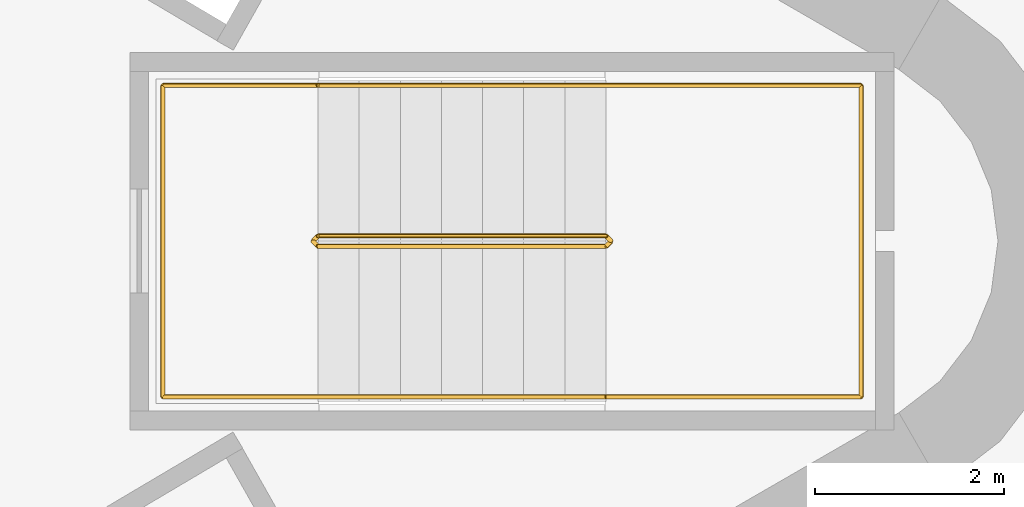
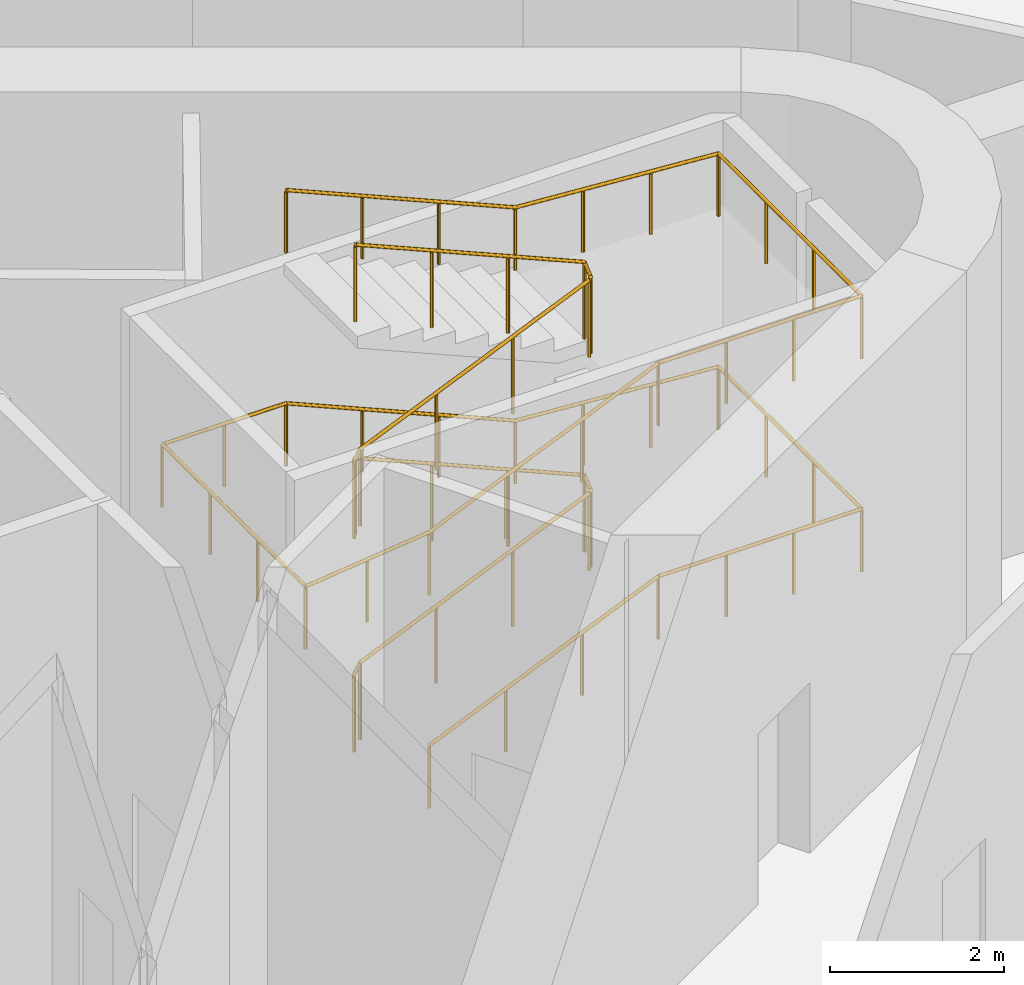
# One storey, part 14 of 14: 2 railings.
"""IFC4 building model written with IfcOpenShell, lengths in metres."""

from ifc_helpers import new_model, si_unit, direction, frame, origin, origin_2d, place, context, subcontext, project, spatial, circle, extrude, material, type_object, element, save


model = new_model("IFC4")

# Units and contexts
model_context = context("Model", 3, precision=1e-05, world=origin(), true_north=direction((0.0, 1.0)))
body_context = subcontext(model_context, "Body", "Model", "MODEL_VIEW")
ifc_project = project(units=[si_unit("LENGTHUNIT", "METRE"), si_unit("AREAUNIT", "SQUARE_METRE"), si_unit("VOLUMEUNIT", "CUBIC_METRE"), si_unit("PLANEANGLEUNIT", "RADIAN"), si_unit("MASSUNIT", "GRAM", prefix="KILO")], contexts=[model_context])

# Site, building, storey
site_placement = place(None, origin())
site = spatial("IfcSite", under=ifc_project, at=site_placement, CompositionType="ELEMENT")
building_placement = place(site_placement, origin())
building = spatial("IfcBuilding", under=site, at=building_placement, Name="Tanit Gate Tower", CompositionType="ELEMENT")
storey_placement = place(building_placement, frame((0.0, 0.0, 39.5)))
storey = spatial("IfcBuildingStorey", under=building, at=storey_placement, Name="L06", CompositionType="ELEMENT", Elevation=39.5)

# Railings
ifc_material_1 = material(Name="Stainless steel balustrade", Category="steel")
railing_type_1 = type_object("IfcRailingType", Name="INT-STAIR-GUARD", PredefinedType="GUARDRAIL", material=ifc_material_1)
railing_1_placement = place(storey_placement, frame((13.044921875, 0.0048828125, 0.0)))
element("IfcRailing", 1, at=railing_1_placement, inside=storey, type_object=railing_type_1, Name="L06 S1 stair guard 1", PredefinedType="GUARDRAIL", context=body_context, shape_type="SweptSolid", body=[
    extrude(circle(Radius=0.02392578125, at=origin_2d()), frame((0.0, 0.0, 1.076171875), z_axis=(0.0, -1.0, 0.0), x_axis=(1.0, 0.0, 0.0)), (0.0, 0.0, 1.0), 0.009765625),
    extrude(circle(Radius=0.02392578125, at=origin_2d()), frame((0.0, -0.009765625, 1.076171875), z_axis=(0.249726431254, -0.249726431254, 0.935560483917), x_axis=(0.707106781187, 0.707106781187, 0.0)), (0.0, 0.0, 1.0), 0.200439453125),
    extrude(circle(Radius=0.02392578125, at=origin_2d()), frame((0.050048828125, -0.059814453125, 1.263671875), z_axis=(0.918608089886, 0.0, 0.395169808052), x_axis=(0.0, 1.0, 0.0)), (0.0, 0.0, 1.0), 3.3212890625),
    extrude(circle(Radius=0.02392578125, at=origin_2d()), frame((3.10107421875, -0.059814453125, 2.576171875), z_axis=(0.707106781187, 0.707106781187, 0.0), x_axis=(-0.707106781187, 0.707106781187, 0.0)), (0.0, 0.0, 1.0), 0.07080078125),
    extrude(circle(Radius=0.02392578125, at=origin_2d()), frame((3.151123046875, -0.009765625, 2.576171875), z_axis=(0.0, 1.0, 0.0), x_axis=(-1.0, 0.0, 0.0)), (0.0, 0.0, 1.0), 0.009765625),
    extrude(circle(Radius=0.02392578125, at=origin_2d()), frame((3.151123046875, 0.0, 2.576171875), z_axis=(-0.249726431254, 0.249726431254, 0.935560483917), x_axis=(-0.707106781187, -0.707106781187, 0.0)), (0.0, 0.0, 1.0), 0.200439453125),
    extrude(circle(Radius=0.02392578125, at=origin_2d()), frame((3.10107421875, 0.050048828125, 2.763671875), z_axis=(-0.918608089886, 0.0, 0.395169808052), x_axis=(0.0, -1.0, 0.0)), (0.0, 0.0, 1.0), 3.3212890625),
    extrude(circle(Radius=0.02392578125, at=origin_2d()), frame((0.050048828125, 0.050048828125, 4.076171875), z_axis=(-0.707106781187, -0.707106781187, 0.0), x_axis=(0.707106781187, -0.707106781187, 0.0)), (0.0, 0.0, 1.0), 0.07080078125),
    extrude(circle(Radius=0.02392578125, at=origin_2d()), frame((0.0, 0.0, 4.076171875), z_axis=(0.0, -1.0, 0.0), x_axis=(1.0, 0.0, 0.0)), (0.0, 0.0, 1.0), 0.009765625),
    extrude(circle(Radius=0.02392578125, at=origin_2d()), frame((0.0, -0.009765625, 4.076171875), z_axis=(0.249726431254, -0.249726431254, 0.935560483917), x_axis=(0.707106781187, 0.707106781187, 0.0)), (0.0, 0.0, 1.0), 0.200439453125),
    extrude(circle(Radius=0.02392578125, at=origin_2d()), frame((0.050048828125, -0.059814453125, 4.263671875), z_axis=(0.918608089886, 0.0, 0.395169808052), x_axis=(0.0, 1.0, 0.0)), (0.0, 0.0, 1.0), 3.3212890625),
    extrude(circle(Radius=0.02392578125, at=origin_2d()), frame((3.10107421875, -0.059814453125, 5.576171875), z_axis=(0.707106781187, 0.707106781187, 0.0), x_axis=(-0.707106781187, 0.707106781187, 0.0)), (0.0, 0.0, 1.0), 0.07080078125),
    extrude(circle(Radius=0.02392578125, at=origin_2d()), frame((3.151123046875, -0.009765625, 5.576171875), z_axis=(0.0, 1.0, 0.0), x_axis=(-1.0, 0.0, 0.0)), (0.0, 0.0, 1.0), 0.009765625),
    extrude(circle(Radius=0.02392578125, at=origin_2d()), frame((3.151123046875, 0.0, 5.576171875), z_axis=(-0.249726431254, 0.249726431254, 0.935560483917), x_axis=(-0.707106781187, -0.707106781187, 0.0)), (0.0, 0.0, 1.0), 0.200439453125),
    extrude(circle(Radius=0.02392578125, at=origin_2d()), frame((3.10107421875, 0.050048828125, 5.763671875), z_axis=(-0.918608089886, 0.0, 0.395169808052), x_axis=(0.0, -1.0, 0.0)), (0.0, 0.0, 1.0), 3.3212890625),
    extrude(circle(Radius=0.02099609375, at=origin_2d()), origin(), (0.0, 0.0, 1.0), 1.052001953125),
    extrude(circle(Radius=0.02099609375, at=origin_2d()), frame((0.0, -0.009765625, 0.0)), (0.0, 0.0, 1.0), 1.052001953125),
    extrude(circle(Radius=0.02099609375, at=origin_2d()), frame((0.050048828125, -0.059814453125, 0.1875)), (0.0, 0.0, 1.0), 1.052001953125),
    extrude(circle(Radius=0.02099609375, at=origin_2d()), frame((1.067138671875, -0.059814453125, 0.625)), (0.0, 0.0, 1.0), 1.052001953125),
    extrude(circle(Radius=0.02099609375, at=origin_2d()), frame((2.083984375, -0.059814453125, 1.0625)), (0.0, 0.0, 1.0), 1.052001953125),
    extrude(circle(Radius=0.02099609375, at=origin_2d()), frame((3.10107421875, -0.059814453125, 1.5)), (0.0, 0.0, 1.0), 1.052001953125),
    extrude(circle(Radius=0.02099609375, at=origin_2d()), frame((3.151123046875, -0.009765625, 1.5)), (0.0, 0.0, 1.0), 1.052001953125),
    extrude(circle(Radius=0.02099609375, at=origin_2d()), frame((3.151123046875, 0.0, 1.5)), (0.0, 0.0, 1.0), 1.052001953125),
    extrude(circle(Radius=0.02099609375, at=origin_2d()), frame((3.10107421875, 0.050048828125, 1.6875)), (0.0, 0.0, 1.0), 1.052001953125),
    extrude(circle(Radius=0.02099609375, at=origin_2d()), frame((2.083984375, 0.050048828125, 2.125)), (0.0, 0.0, 1.0), 1.052001953125),
    extrude(circle(Radius=0.02099609375, at=origin_2d()), frame((1.067138671875, 0.050048828125, 2.5625)), (0.0, 0.0, 1.0), 1.052001953125),
    extrude(circle(Radius=0.02099609375, at=origin_2d()), frame((0.050048828125, 0.050048828125, 3.0)), (0.0, 0.0, 1.0), 1.052001953125),
    extrude(circle(Radius=0.02099609375, at=origin_2d()), frame((0.0, 0.0, 3.0)), (0.0, 0.0, 1.0), 1.052001953125),
    extrude(circle(Radius=0.02099609375, at=origin_2d()), frame((0.0, -0.009765625, 3.0)), (0.0, 0.0, 1.0), 1.052001953125),
    extrude(circle(Radius=0.02099609375, at=origin_2d()), frame((0.050048828125, -0.059814453125, 3.1875)), (0.0, 0.0, 1.0), 1.052001953125),
    extrude(circle(Radius=0.02099609375, at=origin_2d()), frame((1.067138671875, -0.059814453125, 3.625)), (0.0, 0.0, 1.0), 1.052001953125),
    extrude(circle(Radius=0.02099609375, at=origin_2d()), frame((2.083984375, -0.059814453125, 4.0625)), (0.0, 0.0, 1.0), 1.052001953125),
    extrude(circle(Radius=0.02099609375, at=origin_2d()), frame((3.10107421875, -0.059814453125, 4.5)), (0.0, 0.0, 1.0), 1.052001953125),
    extrude(circle(Radius=0.02099609375, at=origin_2d()), frame((3.151123046875, -0.009765625, 4.5)), (0.0, 0.0, 1.0), 1.052001953125),
    extrude(circle(Radius=0.02099609375, at=origin_2d()), frame((3.151123046875, 0.0, 4.5)), (0.0, 0.0, 1.0), 1.052001953125),
    extrude(circle(Radius=0.02099609375, at=origin_2d()), frame((3.10107421875, 0.050048828125, 4.6875)), (0.0, 0.0, 1.0), 1.052001953125),
    extrude(circle(Radius=0.02099609375, at=origin_2d()), frame((2.083984375, 0.050048828125, 5.125)), (0.0, 0.0, 1.0), 1.052001953125),
    extrude(circle(Radius=0.02099609375, at=origin_2d()), frame((1.067138671875, 0.050048828125, 5.5625)), (0.0, 0.0, 1.0), 1.052001953125),
    extrude(circle(Radius=0.02099609375, at=origin_2d()), frame((0.050048828125, 0.050048828125, 6.0)), (0.0, 0.0, 1.0), 1.052001953125),
])
ifc_material_2 = material(Name="Stainless steel handrail", Category="steel")
railing_type_2 = type_object("IfcRailingType", Name="INT-STAIR-HANDRAIL", PredefinedType="HANDRAIL", material=ifc_material_2)
railing_2_placement = place(storey_placement, frame((13.094970703125, -1.64990234375, 0.1875)))
element("IfcRailing", 2, at=railing_2_placement, inside=storey, type_object=railing_type_2, Name="L06 S1 stair handrail 1", PredefinedType="HANDRAIL", context=body_context, shape_type="SweptSolid", body=[
    extrude(circle(Radius=0.02392578125, at=origin_2d()), frame((0.0, 0.0, 0.8759765625), z_axis=(0.918608089886, 0.0, 0.395169808052), x_axis=(0.0, 1.0, 0.0)), (0.0, 0.0, 1.0), 3.3212890625),
    extrude(circle(Radius=0.02392578125, at=origin_2d()), frame((3.051025390625, 0.0, 2.1884765625), z_axis=(1.0, 0.0, 0.0), x_axis=(0.0, 1.0, 0.0)), (0.0, 0.0, 1.0), 2.7041015625),
    extrude(circle(Radius=0.02392578125, at=origin_2d()), frame((5.755126953125, 0.0, 2.1884765625), z_axis=(0.0, 1.0, 0.0), x_axis=(-1.0, 0.0, 0.0)), (0.0, 0.0, 1.0), 3.2998046875),
    extrude(circle(Radius=0.02392578125, at=origin_2d()), frame((5.755126953125, 3.2998046875, 2.1884765625), z_axis=(-0.997604677724, 0.0, 0.069173022074), x_axis=(0.0, -1.0, 0.0)), (0.0, 0.0, 1.0), 2.710693359375),
    extrude(circle(Radius=0.02392578125, at=origin_2d()), frame((3.051025390625, 3.2998046875, 2.3759765625), z_axis=(-0.918608089886, 0.0, 0.395169808052), x_axis=(0.0, -1.0, 0.0)), (0.0, 0.0, 1.0), 3.3212890625),
    extrude(circle(Radius=0.02392578125, at=origin_2d()), frame((0.0, 3.2998046875, 3.6884765625), z_axis=(-1.0, 0.0, 0.0), x_axis=(0.0, -1.0, 0.0)), (0.0, 0.0, 1.0), 1.64501953125),
    extrude(circle(Radius=0.02392578125, at=origin_2d()), frame((-1.64501953125, 3.2998046875, 3.6884765625), z_axis=(0.0, -1.0, 0.0), x_axis=(1.0, 0.0, 0.0)), (0.0, 0.0, 1.0), 3.2998046875),
    extrude(circle(Radius=0.02392578125, at=origin_2d()), frame((-1.64501953125, 0.0, 3.6884765625), z_axis=(0.99356684807, 0.0, 0.113247156325), x_axis=(0.0, 1.0, 0.0)), (0.0, 0.0, 1.0), 1.65576171875),
    extrude(circle(Radius=0.02392578125, at=origin_2d()), frame((0.0, 0.0, 3.8759765625), z_axis=(0.918608089886, 0.0, 0.395169808052), x_axis=(0.0, 1.0, 0.0)), (0.0, 0.0, 1.0), 3.3212890625),
    extrude(circle(Radius=0.02392578125, at=origin_2d()), frame((3.051025390625, 0.0, 5.1884765625), z_axis=(1.0, 0.0, 0.0), x_axis=(0.0, 1.0, 0.0)), (0.0, 0.0, 1.0), 2.7041015625),
    extrude(circle(Radius=0.02392578125, at=origin_2d()), frame((5.755126953125, 0.0, 5.1884765625), z_axis=(0.0, 1.0, 0.0), x_axis=(-1.0, 0.0, 0.0)), (0.0, 0.0, 1.0), 3.2998046875),
    extrude(circle(Radius=0.02392578125, at=origin_2d()), frame((5.755126953125, 3.2998046875, 5.1884765625), z_axis=(-0.997604677724, 0.0, 0.069173022074), x_axis=(0.0, -1.0, 0.0)), (0.0, 0.0, 1.0), 2.710693359375),
    extrude(circle(Radius=0.02392578125, at=origin_2d()), frame((3.051025390625, 3.2998046875, 5.3759765625), z_axis=(-0.918608089886, 0.0, 0.395169808052), x_axis=(0.0, -1.0, 0.0)), (0.0, 0.0, 1.0), 3.3212890625),
    extrude(circle(Radius=0.02099609375, at=origin_2d()), origin(), (0.0, 0.0, 1.0), 0.851806640625),
    extrude(circle(Radius=0.02099609375, at=origin_2d()), frame((1.01708984375, 0.0, 0.4375)), (0.0, 0.0, 1.0), 0.851806640625),
    extrude(circle(Radius=0.02099609375, at=origin_2d()), frame((2.033935546875, 0.0, 0.875)), (0.0, 0.0, 1.0), 0.851806640625),
    extrude(circle(Radius=0.02099609375, at=origin_2d()), frame((3.051025390625, 0.0, 1.3125)), (0.0, 0.0, 1.0), 0.851806640625),
    extrude(circle(Radius=0.02099609375, at=origin_2d()), frame((3.952392578125, 0.0, 1.3125)), (0.0, 0.0, 1.0), 0.851806640625),
    extrude(circle(Radius=0.02099609375, at=origin_2d()), frame((4.853759765625, 0.0, 1.3125)), (0.0, 0.0, 1.0), 0.851806640625),
    extrude(circle(Radius=0.02099609375, at=origin_2d()), frame((5.755126953125, 0.0, 1.3125)), (0.0, 0.0, 1.0), 0.851806640625),
    extrude(circle(Radius=0.02099609375, at=origin_2d()), frame((5.755126953125, 1.099853515625, 1.3125)), (0.0, 0.0, 1.0), 0.851806640625),
    extrude(circle(Radius=0.02099609375, at=origin_2d()), frame((5.755126953125, 2.199951171875, 1.3125)), (0.0, 0.0, 1.0), 0.851806640625),
    extrude(circle(Radius=0.02099609375, at=origin_2d()), frame((5.755126953125, 3.2998046875, 1.3125)), (0.0, 0.0, 1.0), 0.851806640625),
    extrude(circle(Radius=0.02099609375, at=origin_2d()), frame((4.853759765625, 3.2998046875, 1.375)), (0.0, 0.0, 1.0), 0.851806640625),
    extrude(circle(Radius=0.02099609375, at=origin_2d()), frame((3.952392578125, 3.2998046875, 1.4375)), (0.0, 0.0, 1.0), 0.851806640625),
    extrude(circle(Radius=0.02099609375, at=origin_2d()), frame((3.051025390625, 3.2998046875, 1.5)), (0.0, 0.0, 1.0), 0.851806640625),
    extrude(circle(Radius=0.02099609375, at=origin_2d()), frame((2.033935546875, 3.2998046875, 1.9375)), (0.0, 0.0, 1.0), 0.851806640625),
    extrude(circle(Radius=0.02099609375, at=origin_2d()), frame((1.01708984375, 3.2998046875, 2.375)), (0.0, 0.0, 1.0), 0.851806640625),
    extrude(circle(Radius=0.02099609375, at=origin_2d()), frame((0.0, 3.2998046875, 2.8125)), (0.0, 0.0, 1.0), 0.851806640625),
    extrude(circle(Radius=0.02099609375, at=origin_2d()), frame((-0.822509765625, 3.2998046875, 2.8125)), (0.0, 0.0, 1.0), 0.851806640625),
    extrude(circle(Radius=0.02099609375, at=origin_2d()), frame((-1.64501953125, 3.2998046875, 2.8125)), (0.0, 0.0, 1.0), 0.851806640625),
    extrude(circle(Radius=0.02099609375, at=origin_2d()), frame((-1.64501953125, 2.199951171875, 2.8125)), (0.0, 0.0, 1.0), 0.851806640625),
    extrude(circle(Radius=0.02099609375, at=origin_2d()), frame((-1.64501953125, 1.099853515625, 2.8125)), (0.0, 0.0, 1.0), 0.851806640625),
    extrude(circle(Radius=0.02099609375, at=origin_2d()), frame((-1.64501953125, 0.0, 2.8125)), (0.0, 0.0, 1.0), 0.851806640625),
    extrude(circle(Radius=0.02099609375, at=origin_2d()), frame((-0.822509765625, 0.0, 2.90625)), (0.0, 0.0, 1.0), 0.851806640625),
    extrude(circle(Radius=0.02099609375, at=origin_2d()), frame((0.0, 0.0, 3.0)), (0.0, 0.0, 1.0), 0.851806640625),
    extrude(circle(Radius=0.02099609375, at=origin_2d()), frame((1.01708984375, 0.0, 3.4375)), (0.0, 0.0, 1.0), 0.851806640625),
    extrude(circle(Radius=0.02099609375, at=origin_2d()), frame((2.033935546875, 0.0, 3.875)), (0.0, 0.0, 1.0), 0.851806640625),
    extrude(circle(Radius=0.02099609375, at=origin_2d()), frame((3.051025390625, 0.0, 4.3125)), (0.0, 0.0, 1.0), 0.851806640625),
    extrude(circle(Radius=0.02099609375, at=origin_2d()), frame((3.952392578125, 0.0, 4.3125)), (0.0, 0.0, 1.0), 0.851806640625),
    extrude(circle(Radius=0.02099609375, at=origin_2d()), frame((4.853759765625, 0.0, 4.3125)), (0.0, 0.0, 1.0), 0.851806640625),
    extrude(circle(Radius=0.02099609375, at=origin_2d()), frame((5.755126953125, 0.0, 4.3125)), (0.0, 0.0, 1.0), 0.851806640625),
    extrude(circle(Radius=0.02099609375, at=origin_2d()), frame((5.755126953125, 1.099853515625, 4.3125)), (0.0, 0.0, 1.0), 0.851806640625),
    extrude(circle(Radius=0.02099609375, at=origin_2d()), frame((5.755126953125, 2.199951171875, 4.3125)), (0.0, 0.0, 1.0), 0.851806640625),
    extrude(circle(Radius=0.02099609375, at=origin_2d()), frame((5.755126953125, 3.2998046875, 4.3125)), (0.0, 0.0, 1.0), 0.851806640625),
    extrude(circle(Radius=0.02099609375, at=origin_2d()), frame((4.853759765625, 3.2998046875, 4.375)), (0.0, 0.0, 1.0), 0.851806640625),
    extrude(circle(Radius=0.02099609375, at=origin_2d()), frame((3.952392578125, 3.2998046875, 4.4375)), (0.0, 0.0, 1.0), 0.851806640625),
    extrude(circle(Radius=0.02099609375, at=origin_2d()), frame((3.051025390625, 3.2998046875, 4.5)), (0.0, 0.0, 1.0), 0.851806640625),
    extrude(circle(Radius=0.02099609375, at=origin_2d()), frame((2.033935546875, 3.2998046875, 4.9375)), (0.0, 0.0, 1.0), 0.851806640625),
    extrude(circle(Radius=0.02099609375, at=origin_2d()), frame((1.01708984375, 3.2998046875, 5.375)), (0.0, 0.0, 1.0), 0.851806640625),
    extrude(circle(Radius=0.02099609375, at=origin_2d()), frame((0.0, 3.2998046875, 5.8125)), (0.0, 0.0, 1.0), 0.851806640625),
])

save(model, "model.ifc")
